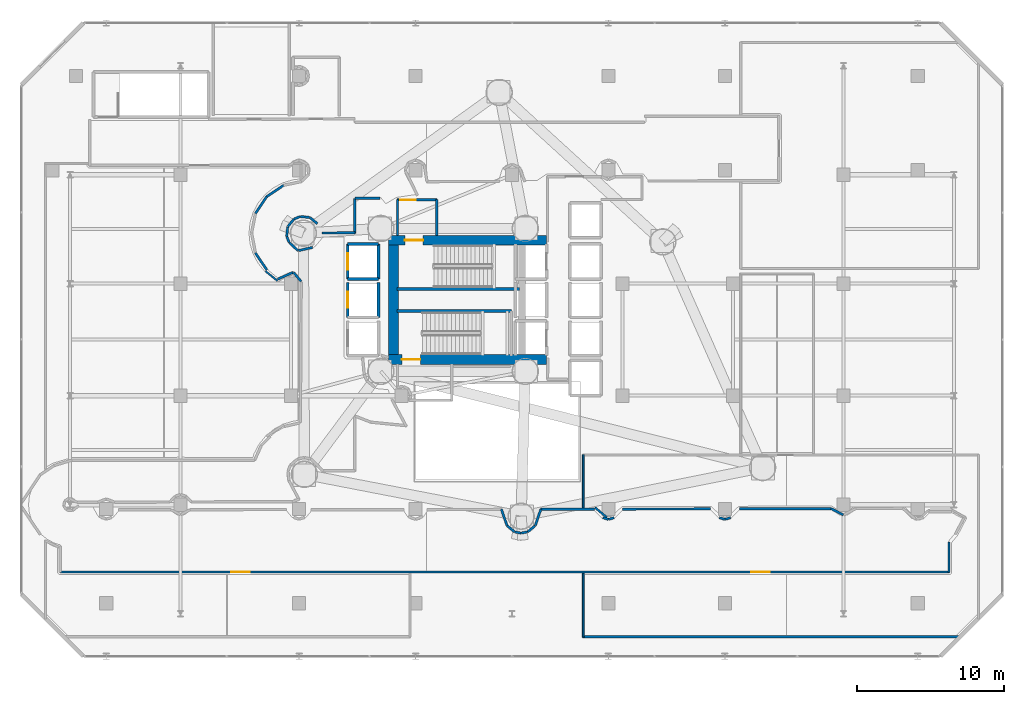
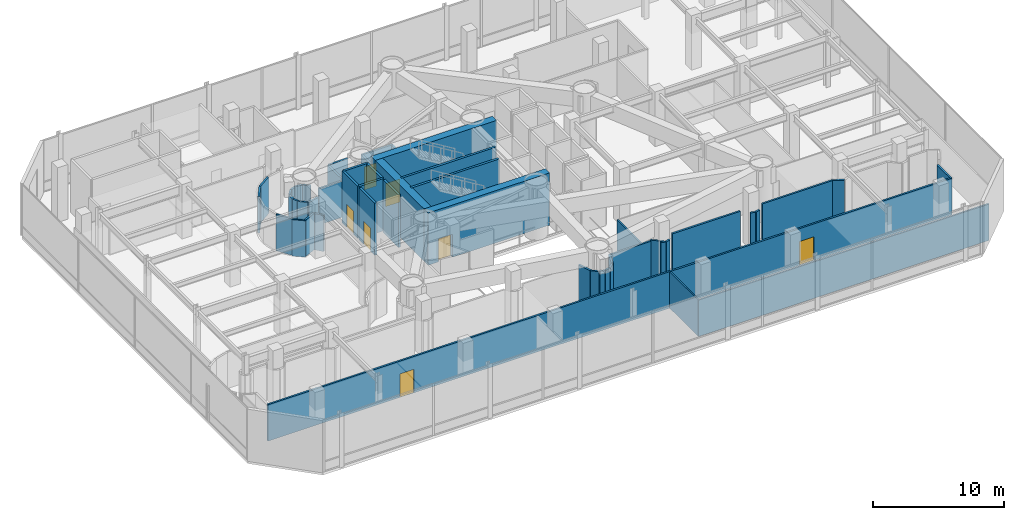
# One storey, part 31 of 40: 51 walls, 7 doors, 7 openings.
"""IFC4 building model written with IfcOpenShell, lengths in metres."""

from ifc_helpers import new_model, si_unit, direction, frame, frame_2d, origin, place, context, subcontext, project, spatial, rectangle, extrude, material, layer, layer_set, type_object, element, fill, save


model = new_model("IFC4")

# Units and contexts
model_context = context("Model", 3, precision=1e-05, world=origin(), true_north=direction((0.0, 1.0)))
body_context = subcontext(model_context, "Body", "Model", "MODEL_VIEW")
ifc_project = project(units=[si_unit("LENGTHUNIT", "METRE"), si_unit("AREAUNIT", "SQUARE_METRE"), si_unit("VOLUMEUNIT", "CUBIC_METRE"), si_unit("PLANEANGLEUNIT", "RADIAN"), si_unit("MASSUNIT", "GRAM", prefix="KILO")], contexts=[model_context])

# Site, building, storey
site_placement = place(None, origin())
site = spatial("IfcSite", under=ifc_project, at=site_placement, CompositionType="ELEMENT")
building_placement = place(site_placement, origin())
building = spatial("IfcBuilding", under=site, at=building_placement, Name="Qianvela Tower", CompositionType="ELEMENT")
storey_placement = place(building_placement, frame((0.0, 0.0, 20.60009765625)))
storey = spatial("IfcBuildingStorey", under=building, at=storey_placement, Name="L04", CompositionType="ELEMENT", Elevation=20.60009765625)

# Wall, opening, door
ifc_material_1 = material(Name="Concrete C60", Category="concrete")
ifc_layer_1 = layer(ifc_material_1, 0.64990234375)
ifc_layer_set_1 = layer_set([ifc_layer_1], Name="Concrete C60")
wall_type_1 = type_object("IfcWallType", Name="WT-CORE-650", PredefinedType="SHEAR", material=ifc_layer_set_1)
wall_1_placement = place(storey_placement, frame((29.1298828125, 32.7451171875, 0.0), z_axis=(0.0, 0.0, 1.0), x_axis=(1.0, 0.0, 0.0)))
wall_1 = element("IfcWall", 1, at=wall_1_placement, inside=storey, type_object=wall_type_1, Name="L04 North Core Shear Wall", PredefinedType="SHEAR", context=body_context, shape_type="SweptSolid", body=[
    extrude(rectangle(XDim=10.72021484375, YDim=0.64990234375, at=frame_2d((5.360107421875, 0.0))), origin(), (0.0, 0.0, 1.0), 4.8798828125),
])
opening_1_placement = place(wall_1_placement, frame((1.094970703125, 0.0, 0.0)))
opening_1 = element("IfcOpeningElement", 2, at=opening_1_placement, cuts=wall_1, Name="Opening D-ST1", PredefinedType="OPENING", context=body_context, shape_type="SweptSolid", body=[
    extrude(rectangle(XDim=1.25, YDim=2.14990234375, at=frame_2d((0.625, 1.074951171875))), frame((0.0, 0.3349609375, 0.0), z_axis=(0.0, -1.0, 0.0), x_axis=(1.0, 0.0, 0.0)), (0.0, 0.0, 1.0), 0.669921875),
])
ifc_material_2 = material(Name="Galvanised Fire Steel Q355B", Category="steel")
door_type_1 = type_object("IfcDoorType", Name="DT-STAIR-FD90", OperationType="NOTDEFINED", PredefinedType="DOOR", material=ifc_material_2)
door_1_placement = place(opening_1_placement, origin())
door_1 = element("IfcDoor", 3, at=door_1_placement, inside=storey, type_object=door_type_1, Name="L04 Stair ST-1 Exit Door", OperationType="SINGLE_SWING_RIGHT", OverallHeight=2.14990234375, OverallWidth=1.25, PredefinedType="DOOR", context=body_context, shape_type="SweptSolid", body=[
    extrude(rectangle(XDim=1.25, YDim=2.14990234375, at=frame_2d((0.625, 1.074951171875))), frame((0.0, 0.02490234375, 0.0), z_axis=(0.0, -1.0, 0.0), x_axis=(1.0, 0.0, 0.0)), (0.0, 0.0, 1.0), 0.050048828125),
])
fill(opening_1, door_1)

wall_2_placement = place(storey_placement, frame((29.1298828125, 24.655029296875, 0.0), z_axis=(0.0, 0.0, 1.0), x_axis=(1.0, 0.0, 0.0)))
wall_2 = element("IfcWall", 4, at=wall_2_placement, inside=storey, type_object=wall_type_1, Name="L04 South Core Shear Wall", PredefinedType="SHEAR", context=body_context, shape_type="SweptSolid", body=[
    extrude(rectangle(XDim=10.72021484375, YDim=0.64990234375, at=frame_2d((5.360107421875, 0.0))), origin(), (0.0, 0.0, 1.0), 4.8798828125),
])
opening_2_placement = place(wall_2_placement, frame((0.89501953125, 0.0, 0.0)))
opening_2 = element("IfcOpeningElement", 5, at=opening_2_placement, cuts=wall_2, Name="Opening D-ST1", PredefinedType="OPENING", context=body_context, shape_type="SweptSolid", body=[
    extrude(rectangle(XDim=1.25, YDim=2.14990234375, at=frame_2d((0.625, 1.074951171875))), frame((0.0, 0.3349609375, 0.0), z_axis=(0.0, -1.0, 0.0), x_axis=(1.0, 0.0, 0.0)), (0.0, 0.0, 1.0), 0.669921875),
])
door_2_placement = place(opening_2_placement, origin())
door_2 = element("IfcDoor", 6, at=door_2_placement, inside=storey, type_object=door_type_1, Name="L04 Stair ST-2 Exit Door", OperationType="SINGLE_SWING_RIGHT", OverallHeight=2.14990234375, OverallWidth=1.25, PredefinedType="DOOR", context=body_context, shape_type="SweptSolid", body=[
    extrude(rectangle(XDim=1.25, YDim=2.14990234375, at=frame_2d((0.625, 1.074951171875))), frame((0.0, 0.02490234375, 0.0), z_axis=(0.0, -1.0, 0.0), x_axis=(1.0, 0.0, 0.0)), (0.0, 0.0, 1.0), 0.050048828125),
])
fill(opening_2, door_2)

# Walls
wall_3_placement = place(storey_placement, frame((29.455078125, 24.97998046875, 0.0), z_axis=(0.0, 0.0, 1.0), x_axis=(0.0, 1.0, 0.0)))
element("IfcWall", 7, at=wall_3_placement, inside=storey, type_object=wall_type_1, Name="L04 West Core Shear Wall", PredefinedType="SHEAR", context=body_context, shape_type="SweptSolid", body=[
    extrude(rectangle(XDim=7.43994140625, YDim=0.64990234375, at=frame_2d((3.719970703125, 0.0))), origin(), (0.0, 0.0, 1.0), 4.8798828125),
])
ifc_material_3 = material(Name="Fire-Rated Gypsum and Concrete Block", Category="concrete")
ifc_layer_2 = layer(ifc_material_3, 0.159912109375)
ifc_layer_set_2 = layer_set([ifc_layer_2], Name="Fire-Rated Gypsum and Concrete Block")
wall_type_2 = type_object("IfcWallType", Name="WT-CORR-160", PredefinedType="PARTITIONING", material=ifc_layer_set_2)
wall_4_placement = place(storey_placement, frame((29.73095703125, 33.05810546875, 0.0), z_axis=(0.0, 0.0, 1.0), x_axis=(0.0, 1.0, 0.0)))
element("IfcWall", 8, at=wall_4_placement, inside=storey, type_object=wall_type_2, Name="L04 Partition 2", PredefinedType="PARTITIONING", context=body_context, shape_type="SweptSolid", body=[
    extrude(rectangle(XDim=2.4619140625, YDim=0.159912109375, at=frame_2d((1.23095703125, 0.0))), origin(), (0.0, 0.0, 1.0), 3.3779296875),
])

# Wall, opening, door
wall_5_placement = place(storey_placement, frame((29.699951171875, 35.489013671875, 0.0), z_axis=(0.0, 0.0, 1.0), x_axis=(1.0, 0.0, 0.0)))
wall_5 = element("IfcWall", 9, at=wall_5_placement, inside=storey, type_object=wall_type_2, Name="L04 Partition 3", PredefinedType="PARTITIONING", context=body_context, shape_type="SweptSolid", body=[
    extrude(rectangle(XDim=2.719970703125, YDim=0.159912109375, at=frame_2d((1.35986328125, 0.0))), origin(), (0.0, 0.0, 1.0), 3.39990234375),
])
opening_3_placement = place(wall_5_placement, frame((0.22998046875, 0.0, 0.0)))
opening_3 = element("IfcOpeningElement", 10, at=opening_3_placement, cuts=wall_5, Name="Opening D-PL1", PredefinedType="OPENING", context=body_context, shape_type="SweptSolid", body=[
    extrude(rectangle(XDim=1.050048828125, YDim=2.14990234375, at=frame_2d((0.52490234375, 1.074951171875))), frame((0.0, 0.08984375, 0.0), z_axis=(0.0, -1.0, 0.0), x_axis=(1.0, 0.0, 0.0)), (0.0, 0.0, 1.0), 0.179931640625),
])
ifc_material_4 = material(Name="Insulated Steel Fire Door Q355B", Category="steel")
door_type_2 = type_object("IfcDoorType", Name="DT-PLANT-FD90", OperationType="NOTDEFINED", PredefinedType="DOOR", material=ifc_material_4)
door_3_placement = place(opening_3_placement, origin())
door_3 = element("IfcDoor", 11, at=door_3_placement, inside=storey, type_object=door_type_2, Name="L04 Door L04 Firefighting Lobby North to L04 Concourse Gallery Corridor", OperationType="SINGLE_SWING_LEFT", OverallHeight=2.14990234375, OverallWidth=1.050048828125, PredefinedType="DOOR", context=body_context, shape_type="SweptSolid", body=[
    extrude(rectangle(XDim=1.050048828125, YDim=2.14990234375, at=frame_2d((0.52490234375, 1.074951171875))), frame((0.0, 0.02490234375, 0.0), z_axis=(0.0, -1.0, 0.0), x_axis=(1.0, 0.0, 0.0)), (0.0, 0.0, 1.0), 0.050048828125),
])
fill(opening_3, door_3)

# Walls
wall_6_placement = place(storey_placement, frame((32.388916015625, 35.52001953125, 0.0), z_axis=(0.0, 0.0, 1.0), x_axis=(0.0, -1.0, 0.0)))
element("IfcWall", 12, at=wall_6_placement, inside=storey, type_object=wall_type_2, Name="L04 Partition 4", PredefinedType="PARTITIONING", context=body_context, shape_type="SweptSolid", body=[
    extrude(rectangle(XDim=2.4619140625, YDim=0.159912109375, at=frame_2d((1.23095703125, 0.0))), origin(), (0.0, 0.0, 1.0), 3.3779296875),
])
wall_7_placement = place(storey_placement, frame((36.776611328125, 14.497802734375, 0.0), z_axis=(0.0, 0.0, 1.0), x_axis=(0.324981296344, -0.94572044338, 0.0)))
element("IfcWall", 13, at=wall_7_placement, inside=storey, type_object=wall_type_2, Name="L04 Partition 59", PredefinedType="PARTITIONING", context=body_context, shape_type="SweptSolid", body=[
    extrude(rectangle(XDim=1.177978515625, YDim=0.159912109375, at=frame_2d((0.5888671875, 0.0))), origin(), (0.0, 0.0, 1.0), 3.3779296875),
])
wall_8_placement = place(storey_placement, frame((37.169189453125, 13.369873046875, 0.0), z_axis=(0.0, 0.0, 1.0), x_axis=(0.772818338666, -0.634627304346, 0.0)))
element("IfcWall", 14, at=wall_8_placement, inside=storey, type_object=wall_type_2, Name="L04 Partition 60", PredefinedType="PARTITIONING", context=body_context, shape_type="SweptSolid", body=[
    extrude(rectangle(XDim=0.650146484375, YDim=0.159912109375, at=frame_2d((0.3251953125, 0.0))), origin(), (0.0, 0.0, 1.0), 3.375),
])
for number, where, z_axis, x_axis, name in (
    (15, (37.685302734375, 12.950927734375, 0.0), (0.0, 0.0, 1.0), (0.980709346372, -0.195471680655, 0.0), "L04 Partition 61"),
    (16, (38.1259765625, 12.865478515625, 0.0), (0.0, 0.0, 1.0), (0.980709346372, 0.195471680655, 0.0), "L04 Partition 62"),
):
    element("IfcWall", number, at=place(storey_placement, frame(where, z_axis=z_axis, x_axis=x_axis)), inside=storey, type_object=wall_type_2, Name=name, PredefinedType="PARTITIONING", context=body_context, shape_type="SweptSolid", body=[
        extrude(rectangle(XDim=0.437255859375, YDim=0.159912109375, at=frame_2d((0.21875, 0.0))), origin(), (0.0, 0.0, 1.0), 3.375),
    ])
wall_9_placement = place(storey_placement, frame((38.568359375, 12.957275390625, 0.0), z_axis=(0.0, 0.0, 1.0), x_axis=(0.772818338666, 0.634627304346, 0.0)))
element("IfcWall", 17, at=wall_9_placement, inside=storey, type_object=wall_type_2, Name="L04 Partition 63", PredefinedType="PARTITIONING", context=body_context, shape_type="SweptSolid", body=[
    extrude(rectangle(XDim=0.650146484375, YDim=0.159912109375, at=frame_2d((0.3251953125, 0.0))), origin(), (0.0, 0.0, 1.0), 3.375),
])
wall_10_placement = place(storey_placement, frame((39.08056640625, 13.3837890625, 0.0), z_axis=(0.0, 0.0, 1.0), x_axis=(0.324745738033, 0.945801356327, 0.0)))
element("IfcWall", 18, at=wall_10_placement, inside=storey, type_object=wall_type_2, Name="L04 Partition 64", PredefinedType="PARTITIONING", context=body_context, shape_type="SweptSolid", body=[
    extrude(rectangle(XDim=1.184814453125, YDim=0.159912109375, at=frame_2d((0.59228515625, 0.0))), origin(), (0.0, 0.0, 1.0), 3.3779296875),
])
wall_11_placement = place(storey_placement, frame((39.43603515625, 14.4833984375, 0.0), z_axis=(0.0, 0.0, 1.0), x_axis=(0.999996947218, 0.002470942103, 0.0)))
element("IfcWall", 19, at=wall_11_placement, inside=storey, type_object=wall_type_2, Name="L04 Partition 65", PredefinedType="PARTITIONING", context=body_context, shape_type="SweptSolid", body=[
    extrude(rectangle(XDim=3.65576171875, YDim=0.159912109375, at=frame_2d((1.827880859375, 0.0))), origin(), (0.0, 0.0, 1.0), 3.3779296875),
])
wall_12_placement = place(storey_placement, frame((43.663330078125, 13.913330078125, 0.0), z_axis=(0.0, 0.0, 1.0), x_axis=(0.956871232999, -0.290512380904, 0.0)))
element("IfcWall", 20, at=wall_12_placement, inside=storey, type_object=wall_type_2, Name="L04 Partition 67", PredefinedType="PARTITIONING", context=body_context, shape_type="SweptSolid", body=[
    extrude(rectangle(XDim=0.38916015625, YDim=0.159912109375, at=frame_2d((0.194580078125, 0.0))), origin(), (0.0, 0.0, 1.0), 3.39990234375),
])
wall_13_placement = place(storey_placement, frame((44.0537109375, 13.80029296875, 0.0), z_axis=(0.0, 0.0, 1.0), x_axis=(0.956818229542, 0.29068690307, 0.0)))
element("IfcWall", 21, at=wall_13_placement, inside=storey, type_object=wall_type_2, Name="L04 Partition 68", PredefinedType="PARTITIONING", context=body_context, shape_type="SweptSolid", body=[
    extrude(rectangle(XDim=0.388916015625, YDim=0.159912109375, at=frame_2d((0.1943359375, 0.0))), origin(), (0.0, 0.0, 1.0), 3.39990234375),
])
wall_14_placement = place(storey_placement, frame((45.002197265625, 14.497314453125, 0.0), z_axis=(0.0, 0.0, 1.0), x_axis=(0.999996899713, 0.002490093109, 0.0)))
element("IfcWall", 22, at=wall_14_placement, inside=storey, type_object=wall_type_2, Name="L04 Partition 70", PredefinedType="PARTITIONING", context=body_context, shape_type="SweptSolid", body=[
    extrude(rectangle(XDim=5.980712890625, YDim=0.159912109375, at=frame_2d((2.990234375, 0.0))), origin(), (0.0, 0.0, 1.0), 3.39990234375),
])
wall_15_placement = place(storey_placement, frame((51.57421875, 13.913330078125, 0.0), z_axis=(0.0, 0.0, 1.0), x_axis=(0.956818229542, -0.29068690307, 0.0)))
element("IfcWall", 23, at=wall_15_placement, inside=storey, type_object=wall_type_2, Name="L04 Partition 72", PredefinedType="PARTITIONING", context=body_context, shape_type="SweptSolid", body=[
    extrude(rectangle(XDim=0.388916015625, YDim=0.159912109375, at=frame_2d((0.1943359375, 0.0))), origin(), (0.0, 0.0, 1.0), 3.39990234375),
])
wall_16_placement = place(storey_placement, frame((51.96435546875, 13.80029296875, 0.0), z_axis=(0.0, 0.0, 1.0), x_axis=(0.956871232999, 0.290512380904, 0.0)))
element("IfcWall", 24, at=wall_16_placement, inside=storey, type_object=wall_type_2, Name="L04 Partition 73", PredefinedType="PARTITIONING", context=body_context, shape_type="SweptSolid", body=[
    extrude(rectangle(XDim=0.38916015625, YDim=0.159912109375, at=frame_2d((0.194580078125, 0.0))), origin(), (0.0, 0.0, 1.0), 3.39990234375),
])
wall_17_placement = place(storey_placement, frame((52.932861328125, 14.51708984375, 0.0), z_axis=(0.0, 0.0, 1.0), x_axis=(0.999996863017, 0.002504786475, 0.0)))
element("IfcWall", 25, at=wall_17_placement, inside=storey, type_object=wall_type_2, Name="L04 Partition 75", PredefinedType="PARTITIONING", context=body_context, shape_type="SweptSolid", body=[
    extrude(rectangle(XDim=6.238037109375, YDim=0.159912109375, at=frame_2d((3.119140625, 0.0))), origin(), (0.0, 0.0, 1.0), 3.39990234375),
])
wall_18_placement = place(storey_placement, frame((59.156494140625, 14.536376953125, 0.0), z_axis=(0.0, 0.0, 1.0), x_axis=(0.886030613639, -0.463626737467, 0.0)))
element("IfcWall", 26, at=wall_18_placement, inside=storey, type_object=wall_type_2, Name="L04 Partition 76", PredefinedType="PARTITIONING", context=body_context, shape_type="SweptSolid", body=[
    extrude(rectangle(XDim=0.935791015625, YDim=0.159912109375, at=frame_2d((0.4677734375, 0.0))), origin(), (0.0, 0.0, 1.0), 3.39990234375),
])
wall_19_placement = place(storey_placement, frame((67.1689453125, 12.27783203125, 0.0), z_axis=(0.0, 0.0, 1.0), x_axis=(0.0, -1.0, 0.0)))
element("IfcWall", 27, at=wall_19_placement, inside=storey, type_object=wall_type_2, Name="L04 Partition 84", PredefinedType="PARTITIONING", context=body_context, shape_type="SweptSolid", body=[
    extrude(rectangle(XDim=2.077880859375, YDim=0.159912109375, at=frame_2d((1.0390625, 0.0))), origin(), (0.0, 0.0, 1.0), 3.39990234375),
])

# Wall, openings, doors
wall_20_placement = place(storey_placement, frame((67.199951171875, 10.23095703125, 0.0), z_axis=(0.0, 0.0, 1.0), x_axis=(-1.0, 0.0, 0.0)))
wall_20 = element("IfcWall", 28, at=wall_20_placement, inside=storey, type_object=wall_type_2, Name="L04 Partition 85", PredefinedType="PARTITIONING", context=body_context, shape_type="SweptSolid", body=[
    extrude(rectangle(XDim=60.39990234375, YDim=0.159912109375, at=frame_2d((30.199951171875, 0.0))), origin(), (0.0, 0.0, 1.0), 3.39990234375),
])
opening_4_placement = place(wall_20_placement, frame((47.50341796875, 0.0, 0.0)))
opening_4 = element("IfcOpeningElement", 29, at=opening_4_placement, cuts=wall_20, Name="Opening D-LG1", PredefinedType="OPENING", context=body_context, shape_type="SweptSolid", body=[
    extrude(rectangle(XDim=1.25, YDim=2.199951171875, at=frame_2d((0.625, 1.10009765625))), frame((0.0, 0.08984375, 0.0), z_axis=(0.0, -1.0, 0.0), x_axis=(1.0, 0.0, 0.0)), (0.0, 0.0, 1.0), 0.179931640625),
])
opening_5_placement = place(wall_20_placement, frame((12.19677734375, 0.0, 0.0)))
opening_5 = element("IfcOpeningElement", 30, at=opening_5_placement, cuts=wall_20, Name="Opening D-LG1", PredefinedType="OPENING", context=body_context, shape_type="SweptSolid", body=[
    extrude(rectangle(XDim=1.25, YDim=2.199951171875, at=frame_2d((0.625, 1.10009765625))), frame((0.0, 0.08984375, 0.0), z_axis=(0.0, -1.0, 0.0), x_axis=(1.0, 0.0, 0.0)), (0.0, 0.0, 1.0), 0.179931640625),
])
ifc_material_5 = material(Name="Anodised Aluminium Acoustic Glass Door", Category="aluminium")
door_type_3 = type_object("IfcDoorType", Name="DT-LOUNGE-1250", OperationType="NOTDEFINED", PredefinedType="DOOR", material=ifc_material_5)
door_4_placement = place(opening_4_placement, origin())
door_4 = element("IfcDoor", 31, at=door_4_placement, inside=storey, type_object=door_type_3, Name="L04 Door L04 Student Fitness and Wellness Hall to L04 Concourse Gallery Corridor", OperationType="SINGLE_SWING_RIGHT", OverallHeight=2.199951171875, OverallWidth=1.25, PredefinedType="DOOR", context=body_context, shape_type="SweptSolid", body=[
    extrude(rectangle(XDim=1.25, YDim=2.199951171875, at=frame_2d((0.625, 1.10009765625))), frame((0.0, 0.02490234375, 0.0), z_axis=(0.0, -1.0, 0.0), x_axis=(1.0, 0.0, 0.0)), (0.0, 0.0, 1.0), 0.050048828125),
])
fill(opening_4, door_4)
door_5_placement = place(opening_5_placement, origin())
door_5 = element("IfcDoor", 32, at=door_5_placement, inside=storey, type_object=door_type_3, Name="L04 Door L04 Podium Sky Commons Lounge to L04 Concourse Gallery Corridor", OperationType="SINGLE_SWING_LEFT", OverallHeight=2.199951171875, OverallWidth=1.25, PredefinedType="DOOR", context=body_context, shape_type="SweptSolid", body=[
    extrude(rectangle(XDim=1.25, YDim=2.199951171875, at=frame_2d((0.625, 1.10009765625))), frame((0.0, 0.02490234375, 0.0), z_axis=(0.0, -1.0, 0.0), x_axis=(1.0, 0.0, 0.0)), (0.0, 0.0, 1.0), 0.050048828125),
])
fill(opening_5, door_5)

# Walls
wall_21_placement = place(storey_placement, frame((23.180908203125, 29.95068359375, 0.0), z_axis=(0.0, 0.0, 1.0), x_axis=(-0.640697591863, 0.767793328821, 0.0)))
element("IfcWall", 33, at=wall_21_placement, inside=storey, type_object=wall_type_2, Name="L04 Partition 100", PredefinedType="PARTITIONING", context=body_context, shape_type="SweptSolid", body=[
    extrude(rectangle(XDim=0.795166015625, YDim=0.159912109375, at=frame_2d((0.3974609375, 0.0))), origin(), (0.0, 0.0, 1.0), 3.3779296875),
])
wall_22_placement = place(storey_placement, frame((22.635009765625, 30.56982421875, 0.0), z_axis=(0.0, 0.0, 1.0), x_axis=(-0.913740840528, -0.406297521961, 0.0)))
element("IfcWall", 34, at=wall_22_placement, inside=storey, type_object=wall_type_2, Name="L04 Partition 101", PredefinedType="PARTITIONING", context=body_context, shape_type="SweptSolid", body=[
    extrude(rectangle(XDim=1.139404296875, YDim=0.159912109375, at=frame_2d((0.56982421875, 0.0))), origin(), (0.0, 0.0, 1.0), 3.39990234375),
])
for number, where, z_axis, x_axis, name in (
    (35, (20.853515625, 30.735107421875, 0.0), (0.0, 0.0, 1.0), (-0.555594771308, 0.831453215819, 0.0), "L04 Partition 103"),
    (36, (20.083984375, 34.5693359375, 0.0), (0.0, 0.0, 1.0), (0.555594771308, 0.831453215819, 0.0), "L04 Partition 106"),
    (37, (20.844970703125, 35.71240234375, 0.0), (0.0, 0.0, 1.0), (0.831453215819, 0.555594771308, 0.0), "L04 Partition 107"),
):
    element("IfcWall", number, at=place(storey_placement, frame(where, z_axis=z_axis, x_axis=x_axis)), inside=storey, type_object=wall_type_2, Name=name, PredefinedType="PARTITIONING", context=body_context, shape_type="SweptSolid", body=[
        extrude(rectangle(XDim=1.385009765625, YDim=0.159912109375, at=frame_2d((0.6923828125, 0.0))), origin(), (0.0, 0.0, 1.0), 3.39990234375),
    ])
wall_23_placement = place(storey_placement, frame((28.5400390625, 35.611083984375, 0.0), z_axis=(0.0, 0.0, 1.0), x_axis=(-1.0, 0.0, 0.0)))
element("IfcWall", 38, at=wall_23_placement, inside=storey, type_object=wall_type_2, Name="L04 Partition 140", PredefinedType="PARTITIONING", context=body_context, shape_type="SweptSolid", body=[
    extrude(rectangle(XDim=1.68994140625, YDim=0.159912109375, at=frame_2d((0.844970703125, 0.0))), origin(), (0.0, 0.0, 1.0), 3.3779296875),
])
wall_24_placement = place(storey_placement, frame((26.819091796875, 35.580078125, 0.0), z_axis=(0.0, 0.0, 1.0), x_axis=(0.0, -1.0, 0.0)))
element("IfcWall", 39, at=wall_24_placement, inside=storey, type_object=wall_type_2, Name="L04 Partition 141", PredefinedType="PARTITIONING", context=body_context, shape_type="SweptSolid", body=[
    extrude(rectangle(XDim=2.362548828125, YDim=0.159912109375, at=frame_2d((1.18115234375, 0.0))), origin(), (0.0, 0.0, 1.0), 3.3779296875),
])
wall_25_placement = place(storey_placement, frame((26.849853515625, 33.24853515625, 0.0), z_axis=(0.0, 0.0, 1.0), x_axis=(-0.999996856591, -0.002507350671, 0.0)))
element("IfcWall", 40, at=wall_25_placement, inside=storey, type_object=wall_type_2, Name="L04 Partition 142", PredefinedType="PARTITIONING", context=body_context, shape_type="SweptSolid", body=[
    extrude(rectangle(XDim=2.239501953125, YDim=0.159912109375, at=frame_2d((1.11962890625, 0.0))), origin(), (0.0, 0.0, 1.0), 3.3779296875),
])
wall_26_placement = place(storey_placement, frame((24.288818359375, 33.874267578125, 0.0), z_axis=(0.0, 0.0, 1.0), x_axis=(-0.773002523958, 0.634402946048, 0.0)))
element("IfcWall", 41, at=wall_26_placement, inside=storey, type_object=wall_type_2, Name="L04 Partition 144", PredefinedType="PARTITIONING", context=body_context, shape_type="SweptSolid", body=[
    extrude(rectangle(XDim=0.64990234375, YDim=0.159912109375, at=frame_2d((0.324951171875, 0.0))), origin(), (0.0, 0.0, 1.0), 3.3779296875),
])
wall_27_placement = place(storey_placement, frame((23.76953125, 34.293701171875, 0.0), z_axis=(0.0, 0.0, 1.0), x_axis=(-0.995184807955, 0.098016315048, 0.0)))
element("IfcWall", 42, at=wall_27_placement, inside=storey, type_object=wall_type_2, Name="L04 Partition 145", PredefinedType="PARTITIONING", context=body_context, shape_type="SweptSolid", body=[
    extrude(rectangle(XDim=0.650146484375, YDim=0.159912109375, at=frame_2d((0.3251953125, 0.0))), origin(), (0.0, 0.0, 1.0), 3.39990234375),
])
wall_28_placement = place(storey_placement, frame((23.107666015625, 34.35498046875, 0.0), z_axis=(0.0, 0.0, 1.0), x_axis=(-0.924098490076, -0.382154393719, 0.0)))
element("IfcWall", 43, at=wall_28_placement, inside=storey, type_object=wall_type_2, Name="L04 Partition 146", PredefinedType="PARTITIONING", context=body_context, shape_type="SweptSolid", body=[
    extrude(rectangle(XDim=0.43701171875, YDim=0.159912109375, at=frame_2d((0.218505859375, 0.0))), origin(), (0.0, 0.0, 1.0), 3.375),
])
for number, where, z_axis, x_axis, name in (
    (44, (22.69189453125, 34.178955078125, 0.0), (0.0, 0.0, 1.0), (-0.634443165816, -0.772969513855, 0.0), "L04 Partition 147"),
    (45, (22.2724609375, 33.65966796875, 0.0), (0.0, 0.0, 1.0), (-0.097979696722, -0.995188413834, 0.0), "L04 Partition 148"),
):
    element("IfcWall", number, at=place(storey_placement, frame(where, z_axis=z_axis, x_axis=x_axis)), inside=storey, type_object=wall_type_2, Name=name, PredefinedType="PARTITIONING", context=body_context, shape_type="SweptSolid", body=[
        extrude(rectangle(XDim=0.650390625, YDim=0.159912109375, at=frame_2d((0.3251953125, 0.0))), origin(), (0.0, 0.0, 1.0), 3.375),
    ])
wall_29_placement = place(storey_placement, frame((22.2109375, 32.99755859375, 0.0), z_axis=(0.0, 0.0, 1.0), x_axis=(0.382828912614, -0.923819259199, 0.0)))
element("IfcWall", 46, at=wall_29_placement, inside=storey, type_object=wall_type_2, Name="L04 Partition 149", PredefinedType="PARTITIONING", context=body_context, shape_type="SweptSolid", body=[
    extrude(rectangle(XDim=0.436767578125, YDim=0.159912109375, at=frame_2d((0.21826171875, 0.0))), origin(), (0.0, 0.0, 1.0), 3.39990234375),
])
wall_30_placement = place(storey_placement, frame((22.3857421875, 32.5830078125, 0.0), z_axis=(0.0, 0.0, 1.0), x_axis=(0.737256999292, -0.675612401452, 0.0)))
element("IfcWall", 47, at=wall_30_placement, inside=storey, type_object=wall_type_2, Name="L04 Partition 150", PredefinedType="PARTITIONING", context=body_context, shape_type="SweptSolid", body=[
    extrude(rectangle(XDim=0.7880859375, YDim=0.159912109375, at=frame_2d((0.39404296875, 0.0))), origin(), (0.0, 0.0, 1.0), 3.3779296875),
])
wall_31_placement = place(storey_placement, frame((22.99462890625, 32.043212890625, 0.0), z_axis=(0.0, 0.0, 1.0), x_axis=(0.974625677984, 0.22384098779, 0.0)))
element("IfcWall", 48, at=wall_31_placement, inside=storey, type_object=wall_type_2, Name="L04 Partition 151", PredefinedType="PARTITIONING", context=body_context, shape_type="SweptSolid", body=[
    extrude(rectangle(XDim=0.998046875, YDim=0.159912109375, at=frame_2d((0.4990234375, 0.0))), origin(), (0.0, 0.0, 1.0), 3.3779296875),
])
ifc_material_6 = material(Name="Insulated Gypsum Stud Partition")
ifc_layer_3 = layer(ifc_material_6, 0.1201171875)
ifc_layer_set_3 = layer_set([ifc_layer_3], Name="Insulated Gypsum Stud Partition")
wall_type_3 = type_object("IfcWallType", Name="WT-PART-120", PredefinedType="PARTITIONING", material=ifc_layer_set_3)
wall_32_placement = place(storey_placement, frame((42.3310546875, 5.800048828125, 0.0), z_axis=(0.0, 0.0, 1.0), x_axis=(0.0, 1.0, 0.0)))
element("IfcWall", 49, at=wall_32_placement, inside=storey, type_object=wall_type_3, Name="L04 Partition 206", PredefinedType="PARTITIONING", context=body_context, shape_type="SweptSolid", body=[
    extrude(rectangle(XDim=4.337890625, YDim=0.1201171875, at=frame_2d((2.1689453125, 0.0))), origin(), (0.0, 0.0, 1.0), 3.39990234375),
])
wall_33_placement = place(storey_placement, frame((42.3310546875, 14.58349609375, 0.0), z_axis=(0.0, 0.0, 1.0), x_axis=(0.0, 1.0, 0.0)))
element("IfcWall", 50, at=wall_33_placement, inside=storey, type_object=wall_type_3, Name="L04 Partition 224", PredefinedType="PARTITIONING", context=body_context, shape_type="SweptSolid", body=[
    extrude(rectangle(XDim=3.616455078125, YDim=0.1201171875, at=frame_2d((1.80810546875, 0.0))), origin(), (0.0, 0.0, 1.0), 3.3779296875),
])
wall_34_placement = place(storey_placement, frame((20.764404296875, 30.64990234375, 0.0), z_axis=(0.0, 0.0, 1.0), x_axis=(0.779139278088, -0.626850847762, 0.0)))
element("IfcWall", 51, at=wall_34_placement, inside=storey, type_object=wall_type_3, Name="L04 Partition 245", PredefinedType="PARTITIONING", context=body_context, shape_type="SweptSolid", body=[
    extrude(rectangle(XDim=1.04833984375, YDim=0.1201171875, at=frame_2d((0.524169921875, 0.0))), origin(), (0.0, 0.0, 1.0), 3.39990234375),
])
ifc_material_7 = material(Name="Acoustic Double Gypsum Stud Partition")
ifc_layer_4 = layer(ifc_material_7, 0.139892578125)
ifc_layer_set_4 = layer_set([ifc_layer_4], Name="Acoustic Double Gypsum Stud Partition")
wall_type_4 = type_object("IfcWallType", Name="WT-ROOM-140", PredefinedType="PARTITIONING", material=ifc_layer_set_4)
wall_35_placement = place(storey_placement, frame((67.950927734375, 5.8310546875, 0.0), z_axis=(0.0, 0.0, 1.0), x_axis=(-1.0, 0.0, 0.0)))
element("IfcWall", 52, at=wall_35_placement, inside=storey, type_object=wall_type_4, Name="L04 Partition 205", PredefinedType="PARTITIONING", context=body_context, shape_type="SweptSolid", body=[
    extrude(rectangle(XDim=25.65087890625, YDim=0.139892578125, at=frame_2d((12.825439453125, 0.0))), origin(), (0.0, 0.0, 1.0), 3.39990234375),
])
wall_36_placement = place(storey_placement, frame((43.948974609375, 13.927490234375, 0.0), z_axis=(0.0, 0.0, 1.0), x_axis=(-0.768618080951, 0.639707937761, 0.0)))
element("IfcWall", 53, at=wall_36_placement, inside=storey, type_object=wall_type_4, Name="L04 Partition 223", PredefinedType="PARTITIONING", context=body_context, shape_type="SweptSolid", body=[
    extrude(rectangle(XDim=1.05859375, YDim=0.139892578125, at=frame_2d((0.529296875, 0.0))), origin(), (0.0, 0.0, 1.0), 3.39990234375),
])
ifc_material_8 = material(Name="Concrete C50", Category="concrete")
ifc_layer_5 = layer(ifc_material_8, 0.199951171875)
ifc_layer_set_5 = layer_set([ifc_layer_5], Name="Concrete C50")
wall_type_5 = type_object("IfcWallType", Name="WT-SHAFT-200", PredefinedType="SOLIDWALL", material=ifc_layer_set_5)
wall_37_placement = place(storey_placement, frame((29.699951171875, 29.449951171875, 0.0), z_axis=(0.0, 0.0, 1.0), x_axis=(1.0, 0.0, 0.0)))
element("IfcWall", 54, at=wall_37_placement, inside=storey, type_object=wall_type_5, Name="L04 Stair ST-1 South Wall", PredefinedType="SOLIDWALL", context=body_context, shape_type="SweptSolid", body=[
    extrude(rectangle(XDim=8.300048828125, YDim=0.199951171875, at=frame_2d((4.14990234375, 0.0))), origin(), (0.0, 0.0, 1.0), 4.8798828125),
])
wall_38_placement = place(storey_placement, frame((29.699951171875, 27.9599609375, 0.0), z_axis=(0.0, 0.0, 1.0), x_axis=(1.0, 0.0, 0.0)))
element("IfcWall", 55, at=wall_38_placement, inside=storey, type_object=wall_type_5, Name="L04 Stair ST-2 North Wall", PredefinedType="SOLIDWALL", context=body_context, shape_type="SweptSolid", body=[
    extrude(rectangle(XDim=7.75, YDim=0.199951171875, at=frame_2d((3.875, 0.0))), origin(), (0.0, 0.0, 1.0), 4.8798828125),
])
wall_39_placement = place(storey_placement, frame((28.449951171875, 30.1201171875, 0.0), z_axis=(0.0, 0.0, 1.0), x_axis=(0.0, 1.0, 0.0)))
element("IfcWall", 56, at=wall_39_placement, inside=storey, type_object=wall_type_5, Name="L04 Lift PL-L1 E Shaft Wall", PredefinedType="SOLIDWALL", context=body_context, shape_type="SweptSolid", body=[
    extrude(rectangle(XDim=2.35986328125, YDim=0.199951171875, at=frame_2d((1.179931640625, 0.0))), origin(), (0.0, 0.0, 1.0), 4.8798828125),
])

# Wall, opening, door
wall_40_placement = place(storey_placement, frame((26.35009765625, 30.1201171875, 0.0), z_axis=(0.0, 0.0, 1.0), x_axis=(0.0, 1.0, 0.0)))
wall_40 = element("IfcWall", 57, at=wall_40_placement, inside=storey, type_object=wall_type_5, Name="L04 Lift PL-L1 W Shaft Wall", PredefinedType="SOLIDWALL", context=body_context, shape_type="SweptSolid", body=[
    extrude(rectangle(XDim=2.35986328125, YDim=0.199951171875, at=frame_2d((1.179931640625, 0.0))), origin(), (0.0, 0.0, 1.0), 4.8798828125),
])
opening_6_placement = place(wall_40_placement, frame((0.6298828125, 0.0, 0.0)))
opening_6 = element("IfcOpeningElement", 58, at=opening_6_placement, cuts=wall_40, Name="Opening LD-01", PredefinedType="OPENING", context=body_context, shape_type="SweptSolid", body=[
    extrude(rectangle(XDim=1.10009765625, YDim=2.14990234375, at=frame_2d((0.550048828125, 1.074951171875))), frame((0.0, 0.10986328125, 0.0), z_axis=(0.0, -1.0, 0.0), x_axis=(1.0, 0.0, 0.0)), (0.0, 0.0, 1.0), 0.219970703125),
])
ifc_material_9 = material(Name="Brushed Stainless Steel Lift Landing Door", Category="steel")
door_type_4 = type_object("IfcDoorType", Name="DT-LIFT-SLIDE-1100", OperationType="SLIDING_TO_LEFT", PredefinedType="DOOR", material=ifc_material_9)
door_6_placement = place(opening_6_placement, origin())
door_6 = element("IfcDoor", 59, at=door_6_placement, inside=storey, type_object=door_type_4, Name="L04 Lift PL-L1 Sliding Landing Door", OperationType="SLIDING_TO_LEFT", OverallHeight=2.14990234375, OverallWidth=1.10009765625, PredefinedType="DOOR", context=body_context, shape_type="SweptSolid", body=[
    extrude(rectangle(XDim=1.10009765625, YDim=2.14990234375, at=frame_2d((0.550048828125, 1.074951171875))), frame((0.0, 0.02490234375, 0.0), z_axis=(0.0, -1.0, 0.0), x_axis=(1.0, 0.0, 0.0)), (0.0, 0.0, 1.0), 0.050048828125),
])
fill(opening_6, door_6)

# Walls
for number, where, z_axis, x_axis, name in (
    (60, (26.35009765625, 32.47998046875, 0.0), (0.0, 0.0, 1.0), (1.0, 0.0, 0.0), "L04 Lift PL-L1 N Shaft Wall"),
    (61, (26.35009765625, 30.1201171875, 0.0), (0.0, 0.0, 1.0), (1.0, 0.0, 0.0), "L04 Lift PL-L1 S Shaft Wall"),
):
    element("IfcWall", number, at=place(storey_placement, frame(where, z_axis=z_axis, x_axis=x_axis)), inside=storey, type_object=wall_type_5, Name=name, PredefinedType="SOLIDWALL", context=body_context, shape_type="SweptSolid", body=[
        extrude(rectangle(XDim=2.099853515625, YDim=0.199951171875, at=frame_2d((1.0498046875, 0.0))), origin(), (0.0, 0.0, 1.0), 4.8798828125),
    ])
wall_41_placement = place(storey_placement, frame((28.449951171875, 27.52001953125, 0.0), z_axis=(0.0, 0.0, 1.0), x_axis=(0.0, 1.0, 0.0)))
element("IfcWall", 62, at=wall_41_placement, inside=storey, type_object=wall_type_5, Name="L04 Lift PL-L2 E Shaft Wall", PredefinedType="SOLIDWALL", context=body_context, shape_type="SweptSolid", body=[
    extrude(rectangle(XDim=2.35986328125, YDim=0.199951171875, at=frame_2d((1.179931640625, 0.0))), origin(), (0.0, 0.0, 1.0), 4.8798828125),
])

# Wall, opening, door
wall_42_placement = place(storey_placement, frame((26.35009765625, 27.52001953125, 0.0), z_axis=(0.0, 0.0, 1.0), x_axis=(0.0, 1.0, 0.0)))
wall_42 = element("IfcWall", 63, at=wall_42_placement, inside=storey, type_object=wall_type_5, Name="L04 Lift PL-L2 W Shaft Wall", PredefinedType="SOLIDWALL", context=body_context, shape_type="SweptSolid", body=[
    extrude(rectangle(XDim=2.35986328125, YDim=0.199951171875, at=frame_2d((1.179931640625, 0.0))), origin(), (0.0, 0.0, 1.0), 4.8798828125),
])
opening_7_placement = place(wall_42_placement, frame((0.6298828125, 0.0, 0.0)))
opening_7 = element("IfcOpeningElement", 64, at=opening_7_placement, cuts=wall_42, Name="Opening LD-01", PredefinedType="OPENING", context=body_context, shape_type="SweptSolid", body=[
    extrude(rectangle(XDim=1.10009765625, YDim=2.14990234375, at=frame_2d((0.550048828125, 1.074951171875))), frame((0.0, 0.10986328125, 0.0), z_axis=(0.0, -1.0, 0.0), x_axis=(1.0, 0.0, 0.0)), (0.0, 0.0, 1.0), 0.219970703125),
])
door_7_placement = place(opening_7_placement, origin())
door_7 = element("IfcDoor", 65, at=door_7_placement, inside=storey, type_object=door_type_4, Name="L04 Lift PL-L2 Sliding Landing Door", OperationType="SLIDING_TO_LEFT", OverallHeight=2.14990234375, OverallWidth=1.10009765625, PredefinedType="DOOR", context=body_context, shape_type="SweptSolid", body=[
    extrude(rectangle(XDim=1.10009765625, YDim=2.14990234375, at=frame_2d((0.550048828125, 1.074951171875))), frame((0.0, 0.02490234375, 0.0), z_axis=(0.0, -1.0, 0.0), x_axis=(1.0, 0.0, 0.0)), (0.0, 0.0, 1.0), 0.050048828125),
])
fill(opening_7, door_7)

save(model, "model.ifc")
